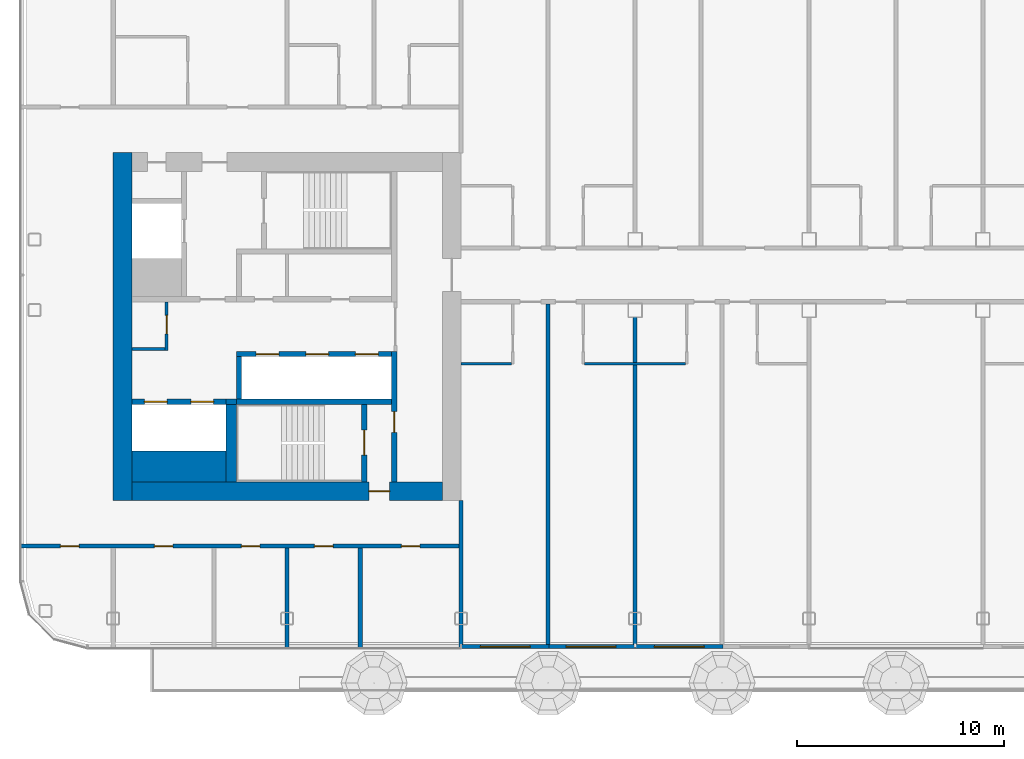
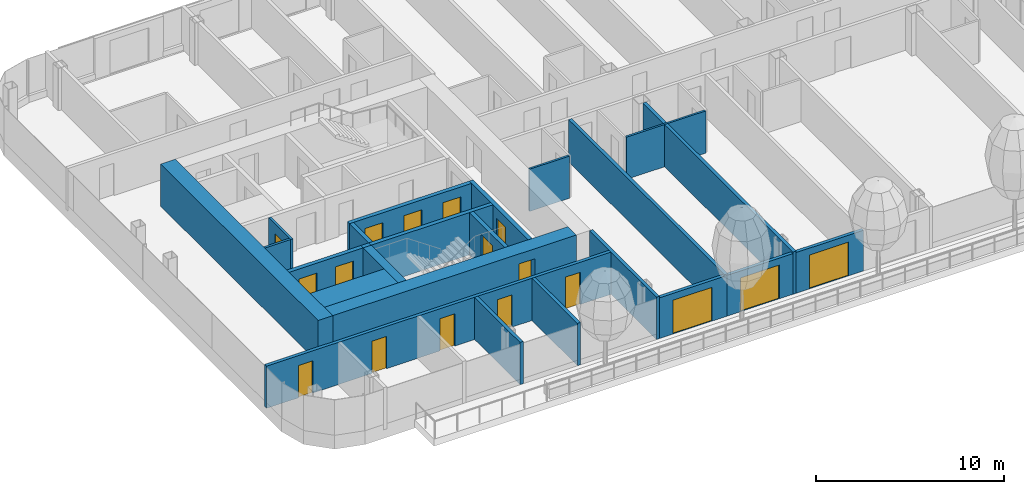
# One storey, part 11 of 29: 24 walls, 17 doors, 17 openings, 1 element without a shape of its own.
"""IFC4 building model written with IfcOpenShell, lengths in metres."""

from ifc_helpers import new_model, si_unit, direction, frame, frame_2d, origin, place, context, subcontext, project, spatial, rectangle, extrude, material, layer, layer_set, type_object, element, fill, aggregate, save


model = new_model("IFC4")

# Units and contexts
model_context = context("Model", 3, precision=1e-05, world=origin(), true_north=direction((0.0, 1.0)))
body_context = subcontext(model_context, "Body", "Model", "MODEL_VIEW")
ifc_project = project(units=[si_unit("LENGTHUNIT", "METRE"), si_unit("AREAUNIT", "SQUARE_METRE"), si_unit("VOLUMEUNIT", "CUBIC_METRE"), si_unit("PLANEANGLEUNIT", "RADIAN"), si_unit("MASSUNIT", "GRAM", prefix="KILO")], contexts=[model_context])

# Site, building, storey
site_placement = place(None, origin())
site = spatial("IfcSite", under=ifc_project, at=site_placement, CompositionType="ELEMENT")
building_placement = place(site_placement, origin())
building = spatial("IfcBuilding", under=site, at=building_placement, Name="Hakoniwa Tower and Hamabe Station Hall", CompositionType="ELEMENT")
storey_placement = place(building_placement, frame((0.0, 0.0, 205.800048828125)))
storey = spatial("IfcBuildingStorey", under=building, at=storey_placement, Name="L58", CompositionType="ELEMENT", Elevation=205.800048828125)

# Walls
ifc_material_1 = material(Name="Gypsum board partition", Category="gypsum")
ifc_layer_1 = layer(ifc_material_1, 0.125)
ifc_layer_set_1 = layer_set([ifc_layer_1], Name="Bathroom Partition 125")
wall_type_1 = type_object("IfcWallType", Name="Bathroom Partition 125", PredefinedType="PARTITIONING", material=ifc_layer_set_1)
wall_1_placement = place(storey_placement, frame((-16.81005859375, -1.800048828125, 0.0), z_axis=(0.0, 0.0, 1.0), x_axis=(1.0, 0.0, 0.0)))
element("IfcWall", 1, at=wall_1_placement, inside=storey, type_object=wall_type_1, Name="GW-L58-003", PredefinedType="PARTITIONING", context=body_context, shape_type="SweptSolid", body=[
    extrude(rectangle(XDim=2.447509765625, YDim=0.125, at=frame_2d((1.2236328125, 0.0))), origin(), (0.0, 0.0, 1.0), 2.75),
])
wall_2_placement = place(storey_placement, frame((-10.83740234375, -1.800048828125, 0.0), z_axis=(0.0, 0.0, 1.0), x_axis=(1.0, 0.0, 0.0)))
element("IfcWall", 2, at=wall_2_placement, inside=storey, type_object=wall_type_1, Name="GW-L58-004", PredefinedType="PARTITIONING", context=body_context, shape_type="SweptSolid", body=[
    extrude(rectangle(XDim=4.875, YDim=0.125, at=frame_2d((2.4375, 0.0))), origin(), (0.0, 0.0, 1.0), 2.75),
])

# Wall, opening, door
ifc_material_2 = material(Name="Gypsum board partition")
ifc_layer_2 = layer(ifc_material_2, 0.14990234375)
ifc_layer_set_2 = layer_set([ifc_layer_2], Name="CORE PARTITION 150 EI 60")
wall_type_2 = type_object("IfcWallType", Name="CORE PARTITION 150 EI 60", PredefinedType="PARTITIONING", material=ifc_layer_set_2)
wall_3_placement = place(storey_placement, frame((-31.02490234375, -1.14990234375, 0.0), z_axis=(0.0, 0.0, 1.0), x_axis=(0.0, 1.0, 0.0)))
wall_3 = element("IfcWall", 3, at=wall_3_placement, inside=storey, type_object=wall_type_2, Name="Core partition PW0 west", PredefinedType="PARTITIONING", context=body_context, shape_type="SweptSolid", body=[
    extrude(rectangle(XDim=2.349853515625, YDim=0.14990234375, at=frame_2d((1.1748046875, 0.0))), origin(), (0.0, 0.0, 1.0), 2.75),
])
opening_1_placement = place(wall_3_placement, frame((0.800048828125, 0.0, 0.0)))
opening_1 = element("IfcOpeningElement", 4, at=opening_1_placement, cuts=wall_3, Name="Opening CD-W-RM1-9", PredefinedType="OPENING", context=body_context, shape_type="SweptSolid", body=[
    extrude(rectangle(XDim=0.89990234375, YDim=2.10009765625, at=frame_2d((0.449951171875, 1.050048828125))), frame((0.0, 0.0849609375, 0.0), z_axis=(0.0, -1.0, 0.0), x_axis=(1.0, 0.0, 0.0)), (0.0, 0.0, 1.0), 0.169921875),
])
ifc_material_3 = material(Name="Steel fire door", Category="steel")
door_type_1 = type_object("IfcDoorType", Name="CORE DOOR 900 FD30", OperationType="NOTDEFINED", PredefinedType="DOOR", material=ifc_material_3)
door_1_placement = place(opening_1_placement, origin())
door_1 = element("IfcDoor", 5, at=door_1_placement, inside=storey, type_object=door_type_1, Name="Store room door", OperationType="SINGLE_SWING_LEFT", OverallHeight=2.10009765625, OverallWidth=0.89990234375, PredefinedType="DOOR", context=body_context, shape_type="SweptSolid", body=[
    extrude(rectangle(XDim=0.89990234375, YDim=2.10009765625, at=frame_2d((0.449951171875, 1.050048828125))), frame((0.0, 0.02490234375, 0.0), z_axis=(0.0, -1.0, 0.0), x_axis=(1.0, 0.0, 0.0)), (0.0, 0.0, 1.0), 0.050048828125),
])
fill(opening_1, door_1)

# Walls
wall_4_placement = place(storey_placement, frame((-32.699951171875, -1.074951171875, 0.0), z_axis=(0.0, 0.0, 1.0), x_axis=(1.0, 0.0, 0.0)))
element("IfcWall", 6, at=wall_4_placement, inside=storey, type_object=wall_type_2, Name="Core partition PS west", PredefinedType="PARTITIONING", context=body_context, shape_type="SweptSolid", body=[
    extrude(rectangle(XDim=1.599853515625, YDim=0.14990234375, at=frame_2d((0.7998046875, 0.0))), origin(), (0.0, 0.0, 1.0), 2.75),
])
ifc_material_4 = material(Name="Concrete C60", Category="concrete")
ifc_layer_3 = layer(ifc_material_4, 0.89990234375)
ifc_layer_set_3 = layer_set([ifc_layer_3], Name="CORE WALL 900 C60")
wall_type_3 = type_object("IfcWallType", Name="CORE WALL 900 C60", PredefinedType="SHEAR", material=ifc_layer_set_3)
wall_5_placement = place(storey_placement, frame((-33.14990234375, -8.39990234375, 0.0), z_axis=(0.0, 0.0, 1.0), x_axis=(0.0, 1.0, 0.0)))
element("IfcWall", 7, at=wall_5_placement, inside=storey, type_object=wall_type_3, Name="Core wall OUTER west", PredefinedType="SHEAR", context=body_context, shape_type="SweptSolid", body=[
    extrude(rectangle(XDim=16.7998046875, YDim=0.89990234375, at=frame_2d((8.39990234375, 0.0))), origin(), (0.0, 0.0, 1.0), 2.75),
])

# Wall, opening, door
wall_6_placement = place(storey_placement, frame((-32.699951171875, -7.949951171875, 0.0), z_axis=(0.0, 0.0, 1.0), x_axis=(1.0, 0.0, 0.0)))
wall_6 = element("IfcWall", 8, at=wall_6_placement, inside=storey, type_object=wall_type_3, Name="Core wall SOUTH west", PredefinedType="SHEAR", context=body_context, shape_type="SweptSolid", body=[
    extrude(rectangle(XDim=15.0, YDim=0.89990234375, at=frame_2d((7.5, 0.0))), origin(), (0.0, 0.0, 1.0), 2.75),
])
opening_2_placement = place(wall_6_placement, frame((11.449951171875, 0.0, 0.0)))
opening_2 = element("IfcOpeningElement", 9, at=opening_2_placement, cuts=wall_6, Name="Opening CD-W-FS3-10", PredefinedType="OPENING", context=body_context, shape_type="SweptSolid", body=[
    extrude(rectangle(XDim=1.0, YDim=2.10009765625, at=frame_2d((0.5, 1.050048828125))), frame((0.0, 0.4599609375, 0.0), z_axis=(0.0, -1.0, 0.0), x_axis=(1.0, 0.0, 0.0)), (0.0, 0.0, 1.0), 0.919921875),
])
ifc_material_5 = material(Name="Steel fire door", Category="steel")
door_type_2 = type_object("IfcDoorType", Name="CORE DOOR 1000 FD60", OperationType="NOTDEFINED", PredefinedType="DOOR", material=ifc_material_5)
door_2_placement = place(opening_2_placement, origin())
door_2 = element("IfcDoor", 10, at=door_2_placement, inside=storey, type_object=door_type_2, Name="Stair vestibule door", OperationType="SINGLE_SWING_RIGHT", OverallHeight=2.10009765625, OverallWidth=1.0, PredefinedType="DOOR", context=body_context, shape_type="SweptSolid", body=[
    extrude(rectangle(XDim=1.0, YDim=2.10009765625, at=frame_2d((0.5, 1.050048828125))), frame((0.0, 0.02490234375, 0.0), z_axis=(0.0, -1.0, 0.0), x_axis=(1.0, 0.0, 0.0)), (0.0, 0.0, 1.0), 0.050048828125),
])
fill(opening_2, door_2)

# Wall
ifc_material_6 = material(Name="Concrete C60", Category="concrete")
ifc_layer_4 = layer(ifc_material_6, 1.5)
ifc_layer_set_4 = layer_set([ifc_layer_4], Name="CORE WEB WALL 1500 C60")
wall_type_4 = type_object("IfcWallType", Name="CORE WEB WALL 1500 C60", PredefinedType="SHEAR", material=ifc_layer_set_4)
wall_7_placement = place(storey_placement, frame((-32.699951171875, -6.75, 0.0), z_axis=(0.0, 0.0, 1.0), x_axis=(1.0, 0.0, 0.0)))
element("IfcWall", 11, at=wall_7_placement, inside=storey, type_object=wall_type_4, Name="Core wall SER west", PredefinedType="SHEAR", context=body_context, shape_type="SweptSolid", body=[
    extrude(rectangle(XDim=4.550048828125, YDim=1.5, at=frame_2d((2.27490234375, 0.0))), origin(), (0.0, 0.0, 1.0), 2.75),
])

# Wall, opening, door
ifc_material_7 = material(Name="Concrete C60", Category="concrete")
ifc_layer_5 = layer(ifc_material_7, 0.25)
ifc_layer_set_5 = layer_set([ifc_layer_5], Name="CORE WEB WALL 250 C60")
wall_type_5 = type_object("IfcWallType", Name="CORE WEB WALL 250 C60", PredefinedType="SHEAR", material=ifc_layer_set_5)
wall_8_placement = place(storey_placement, frame((-20.02490234375, -7.5, 0.0), z_axis=(0.0, 0.0, 1.0), x_axis=(0.0, 1.0, 0.0)))
wall_8 = element("IfcWall", 12, at=wall_8_placement, inside=storey, type_object=wall_type_5, Name="Core wall W1S west", PredefinedType="SHEAR", context=body_context, shape_type="SweptSolid", body=[
    extrude(rectangle(XDim=6.300048828125, YDim=0.25, at=frame_2d((3.14990234375, 0.0))), origin(), (0.0, 0.0, 1.0), 2.75),
])
opening_3_placement = place(wall_8_placement, frame((2.39990234375, 0.0, 0.0)))
opening_3 = element("IfcOpeningElement", 13, at=opening_3_placement, cuts=wall_8, Name="Opening CD-W-VS-10", PredefinedType="OPENING", context=body_context, shape_type="SweptSolid", body=[
    extrude(rectangle(XDim=1.0, YDim=2.10009765625, at=frame_2d((0.5, 1.050048828125))), frame((0.0, 0.135009765625, 0.0), z_axis=(0.0, -1.0, 0.0), x_axis=(1.0, 0.0, 0.0)), (0.0, 0.0, 1.0), 0.27001953125),
])
door_3_placement = place(opening_3_placement, origin())
door_3 = element("IfcDoor", 14, at=door_3_placement, inside=storey, type_object=door_type_2, Name="Stair vestibule door", OperationType="SINGLE_SWING_LEFT", OverallHeight=2.10009765625, OverallWidth=1.0, PredefinedType="DOOR", context=body_context, shape_type="SweptSolid", body=[
    extrude(rectangle(XDim=1.0, YDim=2.10009765625, at=frame_2d((0.5, 1.050048828125))), frame((0.0, 0.02490234375, 0.0), z_axis=(0.0, -1.0, 0.0), x_axis=(1.0, 0.0, 0.0)), (0.0, 0.0, 1.0), 0.050048828125),
])
fill(opening_3, door_3)

# Wall, openings, doors
wall_9_placement = place(storey_placement, frame((-27.64990234375, -1.324951171875, 0.0), z_axis=(0.0, 0.0, 1.0), x_axis=(1.0, 0.0, 0.0)))
wall_9 = element("IfcWall", 15, at=wall_9_placement, inside=storey, type_object=wall_type_5, Name="Core wall SF west", PredefinedType="SHEAR", context=body_context, shape_type="SweptSolid", body=[
    extrude(rectangle(XDim=7.5, YDim=0.25, at=frame_2d((3.75, 0.0))), origin(), (0.0, 0.0, 1.0), 2.75),
])
opening_4_placement = place(wall_9_placement, frame((5.75, 0.0, 0.0)))
opening_4 = element("IfcOpeningElement", 16, at=opening_4_placement, cuts=wall_9, Name="Opening LD-HR1", PredefinedType="OPENING", context=body_context, shape_type="SweptSolid", body=[
    extrude(rectangle(XDim=1.10009765625, YDim=2.10009765625, at=frame_2d((0.550048828125, 1.050048828125))), frame((0.0, 0.135009765625, 0.0), z_axis=(0.0, -1.0, 0.0), x_axis=(1.0, 0.0, 0.0)), (0.0, 0.0, 1.0), 0.27001953125),
])
opening_5_placement = place(wall_9_placement, frame((3.35009765625, 0.0, 0.0)))
opening_5 = element("IfcOpeningElement", 17, at=opening_5_placement, cuts=wall_9, Name="Opening LD-HR2", PredefinedType="OPENING", context=body_context, shape_type="SweptSolid", body=[
    extrude(rectangle(XDim=1.10009765625, YDim=2.10009765625, at=frame_2d((0.550048828125, 1.050048828125))), frame((0.0, 0.135009765625, 0.0), z_axis=(0.0, -1.0, 0.0), x_axis=(1.0, 0.0, 0.0)), (0.0, 0.0, 1.0), 0.27001953125),
])
opening_6_placement = place(wall_9_placement, frame((0.949951171875, 0.0, 0.0)))
opening_6 = element("IfcOpeningElement", 18, at=opening_6_placement, cuts=wall_9, Name="Opening LD-HR3", PredefinedType="OPENING", context=body_context, shape_type="SweptSolid", body=[
    extrude(rectangle(XDim=1.10009765625, YDim=2.10009765625, at=frame_2d((0.550048828125, 1.050048828125))), frame((0.0, 0.135009765625, 0.0), z_axis=(0.0, -1.0, 0.0), x_axis=(1.0, 0.0, 0.0)), (0.0, 0.0, 1.0), 0.27001953125),
])
ifc_material_8 = material(Name="Stainless steel SUS304", Category="steel")
door_type_3 = type_object("IfcDoorType", Name="LIFT LANDING DOOR 1100 FD60", OperationType="DOUBLE_DOOR_SLIDING", PredefinedType="DOOR", material=ifc_material_8)
door_4_placement = place(opening_4_placement, origin())
door_4 = element("IfcDoor", 19, at=door_4_placement, inside=storey, type_object=door_type_3, Name="Lift landing door HR1 L58", OperationType="DOUBLE_DOOR_SLIDING", OverallHeight=2.10009765625, OverallWidth=1.10009765625, PredefinedType="DOOR", context=body_context, shape_type="SweptSolid", body=[
    extrude(rectangle(XDim=1.10009765625, YDim=2.10009765625, at=frame_2d((0.550048828125, 1.050048828125))), frame((0.0, 0.02490234375, 0.0), z_axis=(0.0, -1.0, 0.0), x_axis=(1.0, 0.0, 0.0)), (0.0, 0.0, 1.0), 0.050048828125),
])
fill(opening_4, door_4)
door_5_placement = place(opening_5_placement, origin())
door_5 = element("IfcDoor", 20, at=door_5_placement, inside=storey, type_object=door_type_3, Name="Lift landing door HR2 L58", OperationType="DOUBLE_DOOR_SLIDING", OverallHeight=2.10009765625, OverallWidth=1.10009765625, PredefinedType="DOOR", context=body_context, shape_type="SweptSolid", body=[
    extrude(rectangle(XDim=1.10009765625, YDim=2.10009765625, at=frame_2d((0.550048828125, 1.050048828125))), frame((0.0, 0.02490234375, 0.0), z_axis=(0.0, -1.0, 0.0), x_axis=(1.0, 0.0, 0.0)), (0.0, 0.0, 1.0), 0.050048828125),
])
fill(opening_5, door_5)
door_6_placement = place(opening_6_placement, origin())
door_6 = element("IfcDoor", 21, at=door_6_placement, inside=storey, type_object=door_type_3, Name="Lift landing door HR3 L58", OperationType="DOUBLE_DOOR_SLIDING", OverallHeight=2.10009765625, OverallWidth=1.10009765625, PredefinedType="DOOR", context=body_context, shape_type="SweptSolid", body=[
    extrude(rectangle(XDim=1.10009765625, YDim=2.10009765625, at=frame_2d((0.550048828125, 1.050048828125))), frame((0.0, 0.02490234375, 0.0), z_axis=(0.0, -1.0, 0.0), x_axis=(1.0, 0.0, 0.0)), (0.0, 0.0, 1.0), 0.050048828125),
])
fill(opening_6, door_6)

# Walls
wall_10_placement = place(storey_placement, frame((-27.52490234375, -3.5, 0.0), z_axis=(0.0, 0.0, 1.0), x_axis=(0.0, 1.0, 0.0)))
element("IfcWall", 22, at=wall_10_placement, inside=storey, type_object=wall_type_5, Name="Core wall SE west", PredefinedType="SHEAR", context=body_context, shape_type="SweptSolid", body=[
    extrude(rectangle(XDim=2.050048828125, YDim=0.25, at=frame_2d((1.02490234375, 0.0))), origin(), (0.0, 0.0, 1.0), 2.75),
])
wall_11_placement = place(storey_placement, frame((-27.64990234375, -3.625, 0.0), z_axis=(0.0, 0.0, 1.0), x_axis=(1.0, 0.0, 0.0)))
element("IfcWall", 23, at=wall_11_placement, inside=storey, type_object=wall_type_5, Name="Core wall SR west", PredefinedType="SHEAR", context=body_context, shape_type="SweptSolid", body=[
    extrude(rectangle(XDim=7.5, YDim=0.25, at=frame_2d((3.75, 0.0))), origin(), (0.0, 0.0, 1.0), 2.75),
])

# Wall, opening, door
wall_12_placement = place(storey_placement, frame((-21.47509765625, -7.5, 0.0), z_axis=(0.0, 0.0, 1.0), x_axis=(0.0, 1.0, 0.0)))
wall_12 = element("IfcWall", 24, at=wall_12_placement, inside=storey, type_object=wall_type_5, Name="Core wall VE west", PredefinedType="SHEAR", context=body_context, shape_type="SweptSolid", body=[
    extrude(rectangle(XDim=3.75, YDim=0.25, at=frame_2d((1.875, 0.0))), origin(), (0.0, 0.0, 1.0), 2.75),
])
opening_7_placement = place(wall_12_placement, frame((1.300048828125, 0.0, 0.0)))
opening_7 = element("IfcOpeningElement", 25, at=opening_7_placement, cuts=wall_12, Name="Opening CD-W-SS-12", PredefinedType="OPENING", context=body_context, shape_type="SweptSolid", body=[
    extrude(rectangle(XDim=1.199951171875, YDim=2.10009765625, at=frame_2d((0.60009765625, 1.050048828125))), frame((0.0, 0.135009765625, 0.0), z_axis=(0.0, -1.0, 0.0), x_axis=(1.0, 0.0, 0.0)), (0.0, 0.0, 1.0), 0.27001953125),
])
ifc_material_9 = material(Name="Steel fire door", Category="steel")
door_type_4 = type_object("IfcDoorType", Name="CORE DOOR 1200 FD60", OperationType="DOUBLE_DOOR_SINGLE_SWING", PredefinedType="DOOR", material=ifc_material_9)
door_7_placement = place(opening_7_placement, origin())
door_7 = element("IfcDoor", 26, at=door_7_placement, inside=storey, type_object=door_type_4, Name="Escape stair door", OperationType="DOUBLE_DOOR_SINGLE_SWING", OverallHeight=2.10009765625, OverallWidth=1.199951171875, PredefinedType="DOOR", context=body_context, shape_type="SweptSolid", body=[
    extrude(rectangle(XDim=1.199951171875, YDim=2.10009765625, at=frame_2d((0.60009765625, 1.050048828125))), frame((0.0, 0.02490234375, 0.0), z_axis=(0.0, -1.0, 0.0), x_axis=(1.0, 0.0, 0.0)), (0.0, 0.0, 1.0), 0.050048828125),
])
fill(opening_7, door_7)

# Wall, openings, doors
wall_13_placement = place(storey_placement, frame((-32.699951171875, -3.625, 0.0), z_axis=(0.0, 0.0, 1.0), x_axis=(1.0, 0.0, 0.0)))
wall_13 = element("IfcWall", 27, at=wall_13_placement, inside=storey, type_object=wall_type_5, Name="Core wall SEF west", PredefinedType="SHEAR", context=body_context, shape_type="SweptSolid", body=[
    extrude(rectangle(XDim=4.550048828125, YDim=0.25, at=frame_2d((2.27490234375, 0.0))), origin(), (0.0, 0.0, 1.0), 2.75),
])
opening_8_placement = place(wall_13_placement, frame((2.85009765625, 0.0, 0.0)))
opening_8 = element("IfcOpeningElement", 28, at=opening_8_placement, cuts=wall_13, Name="Opening LD-SV1", PredefinedType="OPENING", context=body_context, shape_type="SweptSolid", body=[
    extrude(rectangle(XDim=1.10009765625, YDim=2.10009765625, at=frame_2d((0.550048828125, 1.050048828125))), frame((0.0, 0.135009765625, 0.0), z_axis=(0.0, -1.0, 0.0), x_axis=(1.0, 0.0, 0.0)), (0.0, 0.0, 1.0), 0.27001953125),
])
opening_9_placement = place(wall_13_placement, frame((0.60009765625, 0.0, 0.0)))
opening_9 = element("IfcOpeningElement", 29, at=opening_9_placement, cuts=wall_13, Name="Opening LD-SV2", PredefinedType="OPENING", context=body_context, shape_type="SweptSolid", body=[
    extrude(rectangle(XDim=1.10009765625, YDim=2.10009765625, at=frame_2d((0.550048828125, 1.050048828125))), frame((0.0, 0.135009765625, 0.0), z_axis=(0.0, -1.0, 0.0), x_axis=(1.0, 0.0, 0.0)), (0.0, 0.0, 1.0), 0.27001953125),
])
door_8_placement = place(opening_8_placement, origin())
door_8 = element("IfcDoor", 30, at=door_8_placement, inside=storey, type_object=door_type_3, Name="Lift landing door SV1 L58", OperationType="DOUBLE_DOOR_SLIDING", OverallHeight=2.10009765625, OverallWidth=1.10009765625, PredefinedType="DOOR", context=body_context, shape_type="SweptSolid", body=[
    extrude(rectangle(XDim=1.10009765625, YDim=2.10009765625, at=frame_2d((0.550048828125, 1.050048828125))), frame((0.0, 0.02490234375, 0.0), z_axis=(0.0, -1.0, 0.0), x_axis=(1.0, 0.0, 0.0)), (0.0, 0.0, 1.0), 0.050048828125),
])
fill(opening_8, door_8)
door_9_placement = place(opening_9_placement, origin())
door_9 = element("IfcDoor", 31, at=door_9_placement, inside=storey, type_object=door_type_3, Name="Lift landing door SV2 L58", OperationType="DOUBLE_DOOR_SLIDING", OverallHeight=2.10009765625, OverallWidth=1.10009765625, PredefinedType="DOOR", context=body_context, shape_type="SweptSolid", body=[
    extrude(rectangle(XDim=1.10009765625, YDim=2.10009765625, at=frame_2d((0.550048828125, 1.050048828125))), frame((0.0, 0.02490234375, 0.0), z_axis=(0.0, -1.0, 0.0), x_axis=(1.0, 0.0, 0.0)), (0.0, 0.0, 1.0), 0.050048828125),
])
fill(opening_9, door_9)

# Walls
wall_14_placement = place(storey_placement, frame((-28.14990234375, -3.625, 0.0), z_axis=(0.0, 0.0, 1.0), x_axis=(1.0, 0.0, 0.0)))
element("IfcWall", 32, at=wall_14_placement, inside=storey, type_object=wall_type_5, Name="Core wall SRK west", PredefinedType="SHEAR", context=body_context, shape_type="SweptSolid", body=[
    extrude(rectangle(XDim=0.5, YDim=0.25, at=frame_2d((0.25, 0.0))), origin(), (0.0, 0.0, 1.0), 2.75),
])
ifc_material_10 = material(Name="Concrete C60", Category="concrete")
ifc_layer_6 = layer(ifc_material_10, 0.5)
ifc_layer_set_6 = layer_set([ifc_layer_6], Name="CORE WEB WALL 500 C60")
wall_type_6 = type_object("IfcWallType", Name="CORE WEB WALL 500 C60", PredefinedType="SHEAR", material=ifc_layer_set_6)
wall_15_placement = place(storey_placement, frame((-27.89990234375, -7.5, 0.0), z_axis=(0.0, 0.0, 1.0), x_axis=(0.0, 1.0, 0.0)))
element("IfcWall", 33, at=wall_15_placement, inside=storey, type_object=wall_type_6, Name="Core wall SSE west", PredefinedType="SHEAR", context=body_context, shape_type="SweptSolid", body=[
    extrude(rectangle(XDim=3.75, YDim=0.5, at=frame_2d((1.875, 0.0))), origin(), (0.0, 0.0, 1.0), 2.75),
])

# Wall, openings, doors
ifc_material_11 = material(Name="Fire-rated gypsum board partition", Category="gypsum")
ifc_layer_7 = layer(ifc_material_11, 0.199951171875)
ifc_layer_set_7 = layer_set([ifc_layer_7], Name="Corridor Wall 200")
wall_type_7 = type_object("IfcWallType", Name="Corridor Wall 200", PredefinedType="PARTITIONING", material=ifc_layer_set_7)
wall_16_placement = place(storey_placement, frame((-38.10009765625, -10.60009765625, 0.0), z_axis=(0.0, 0.0, 1.0), x_axis=(1.0, 0.0, 0.0)))
wall_16 = element("IfcWall", 34, at=wall_16_placement, inside=storey, type_object=wall_type_7, Name="GW-L58-001", PredefinedType="PARTITIONING", context=body_context, shape_type="SweptSolid", body=[
    extrude(rectangle(XDim=21.300048828125, YDim=0.199951171875, at=frame_2d((10.64990234375, 0.0))), origin(), (0.0, 0.0, 1.0), 2.75),
])
opening_10_placement = place(wall_16_placement, frame((1.949951171875, 0.0, 0.0)))
opening_10 = element("IfcOpeningElement", 35, at=opening_10_placement, cuts=wall_16, Name="Opening GD-G4B1-01", PredefinedType="OPENING", context=body_context, shape_type="SweptSolid", body=[
    extrude(rectangle(XDim=0.89990234375, YDim=2.10009765625, at=frame_2d((0.449951171875, 1.050048828125))), frame((0.0, 0.10986328125, 0.0), z_axis=(0.0, -1.0, 0.0), x_axis=(1.0, 0.0, 0.0)), (0.0, 0.0, 1.0), 0.219970703125),
])
opening_11_placement = place(wall_16_placement, frame((6.485107421875, 0.0, 0.0)))
opening_11 = element("IfcOpeningElement", 36, at=opening_11_placement, cuts=wall_16, Name="Opening GD-G4B1-02", PredefinedType="OPENING", context=body_context, shape_type="SweptSolid", body=[
    extrude(rectangle(XDim=0.89990234375, YDim=2.10009765625, at=frame_2d((0.449951171875, 1.050048828125))), frame((0.0, 0.10986328125, 0.0), z_axis=(0.0, -1.0, 0.0), x_axis=(1.0, 0.0, 0.0)), (0.0, 0.0, 1.0), 0.219970703125),
])
opening_12_placement = place(wall_16_placement, frame((10.68505859375, 0.0, 0.0)))
opening_12 = element("IfcOpeningElement", 37, at=opening_12_placement, cuts=wall_16, Name="Opening GD-G4B1-03", PredefinedType="OPENING", context=body_context, shape_type="SweptSolid", body=[
    extrude(rectangle(XDim=0.89990234375, YDim=2.10009765625, at=frame_2d((0.449951171875, 1.050048828125))), frame((0.0, 0.10986328125, 0.0), z_axis=(0.0, -1.0, 0.0), x_axis=(1.0, 0.0, 0.0)), (0.0, 0.0, 1.0), 0.219970703125),
])
opening_13_placement = place(wall_16_placement, frame((14.215087890625, 0.0, 0.0)))
opening_13 = element("IfcOpeningElement", 38, at=opening_13_placement, cuts=wall_16, Name="Opening GD-G4B1-04", PredefinedType="OPENING", context=body_context, shape_type="SweptSolid", body=[
    extrude(rectangle(XDim=0.89990234375, YDim=2.10009765625, at=frame_2d((0.449951171875, 1.050048828125))), frame((0.0, 0.10986328125, 0.0), z_axis=(0.0, -1.0, 0.0), x_axis=(1.0, 0.0, 0.0)), (0.0, 0.0, 1.0), 0.219970703125),
])
opening_14_placement = place(wall_16_placement, frame((18.4150390625, 0.0, 0.0)))
opening_14 = element("IfcOpeningElement", 39, at=opening_14_placement, cuts=wall_16, Name="Opening GD-G4B1-05", PredefinedType="OPENING", context=body_context, shape_type="SweptSolid", body=[
    extrude(rectangle(XDim=0.89990234375, YDim=2.10009765625, at=frame_2d((0.449951171875, 1.050048828125))), frame((0.0, 0.10986328125, 0.0), z_axis=(0.0, -1.0, 0.0), x_axis=(1.0, 0.0, 0.0)), (0.0, 0.0, 1.0), 0.219970703125),
])
ifc_material_12 = material(Name="Timber door leaf", Category="wood")
door_type_5 = type_object("IfcDoorType", Name="Service Door 900", OperationType="SINGLE_SWING_LEFT", PredefinedType="DOOR", material=ifc_material_12)
door_10_placement = place(opening_10_placement, origin())
door_10 = element("IfcDoor", 40, at=door_10_placement, inside=storey, type_object=door_type_5, Name="Door GD-G4B1-01", OperationType="SINGLE_SWING_RIGHT", OverallHeight=2.10009765625, OverallWidth=0.89990234375, PredefinedType="DOOR", context=body_context, shape_type="SweptSolid", body=[
    extrude(rectangle(XDim=0.89990234375, YDim=2.10009765625, at=frame_2d((0.449951171875, 1.050048828125))), frame((0.0, 0.02490234375, 0.0), z_axis=(0.0, -1.0, 0.0), x_axis=(1.0, 0.0, 0.0)), (0.0, 0.0, 1.0), 0.050048828125),
])
fill(opening_10, door_10)
door_11_placement = place(opening_11_placement, origin())
door_11 = element("IfcDoor", 41, at=door_11_placement, inside=storey, type_object=door_type_5, Name="Door GD-G4B1-02", OperationType="SINGLE_SWING_LEFT", OverallHeight=2.10009765625, OverallWidth=0.89990234375, PredefinedType="DOOR", context=body_context, shape_type="SweptSolid", body=[
    extrude(rectangle(XDim=0.89990234375, YDim=2.10009765625, at=frame_2d((0.449951171875, 1.050048828125))), frame((0.0, 0.02490234375, 0.0), z_axis=(0.0, -1.0, 0.0), x_axis=(1.0, 0.0, 0.0)), (0.0, 0.0, 1.0), 0.050048828125),
])
fill(opening_11, door_11)
door_12_placement = place(opening_12_placement, origin())
door_12 = element("IfcDoor", 42, at=door_12_placement, inside=storey, type_object=door_type_5, Name="Door GD-G4B1-03", OperationType="SINGLE_SWING_RIGHT", OverallHeight=2.10009765625, OverallWidth=0.89990234375, PredefinedType="DOOR", context=body_context, shape_type="SweptSolid", body=[
    extrude(rectangle(XDim=0.89990234375, YDim=2.10009765625, at=frame_2d((0.449951171875, 1.050048828125))), frame((0.0, 0.02490234375, 0.0), z_axis=(0.0, -1.0, 0.0), x_axis=(1.0, 0.0, 0.0)), (0.0, 0.0, 1.0), 0.050048828125),
])
fill(opening_12, door_12)
door_13_placement = place(opening_13_placement, origin())
door_13 = element("IfcDoor", 43, at=door_13_placement, inside=storey, type_object=door_type_5, Name="Door GD-G4B1-04", OperationType="SINGLE_SWING_LEFT", OverallHeight=2.10009765625, OverallWidth=0.89990234375, PredefinedType="DOOR", context=body_context, shape_type="SweptSolid", body=[
    extrude(rectangle(XDim=0.89990234375, YDim=2.10009765625, at=frame_2d((0.449951171875, 1.050048828125))), frame((0.0, 0.02490234375, 0.0), z_axis=(0.0, -1.0, 0.0), x_axis=(1.0, 0.0, 0.0)), (0.0, 0.0, 1.0), 0.050048828125),
])
fill(opening_13, door_13)
door_14_placement = place(opening_14_placement, origin())
door_14 = element("IfcDoor", 44, at=door_14_placement, inside=storey, type_object=door_type_5, Name="Door GD-G4B1-05", OperationType="SINGLE_SWING_RIGHT", OverallHeight=2.10009765625, OverallWidth=0.89990234375, PredefinedType="DOOR", context=body_context, shape_type="SweptSolid", body=[
    extrude(rectangle(XDim=0.89990234375, YDim=2.10009765625, at=frame_2d((0.449951171875, 1.050048828125))), frame((0.0, 0.02490234375, 0.0), z_axis=(0.0, -1.0, 0.0), x_axis=(1.0, 0.0, 0.0)), (0.0, 0.0, 1.0), 0.050048828125),
])
fill(opening_14, door_14)

# Curtain wall, walls, openings, doors
ifc_material_13 = material(Name="Dark low-e laminated glass", Category="glass")
ifc_layer_8 = layer(ifc_material_13, 0.199951171875)
ifc_layer_set_8 = layer_set([ifc_layer_8], Name="CW-1 UNITISED GUEST")
curtain_wall_type = type_object("IfcCurtainWallType", Name="CW-1 UNITISED GUEST", PredefinedType="NOTDEFINED", material=ifc_layer_set_8)
curtain_wall_placement = place(storey_placement, origin())
curtain_wall = element("IfcCurtainWall", 45, at=curtain_wall_placement, inside=storey, type_object=curtain_wall_type, Name="CW-1 curtain wall", PredefinedType="NOTDEFINED")
ifc_material_14 = material(Name="Dark glass-faced aluminium panel", Category="aluminium")
ifc_layer_9 = layer(ifc_material_14, 0.199951171875)
ifc_layer_set_9 = layer_set([ifc_layer_9], Name="DOOR BAY WALL")
wall_type_8 = type_object("IfcWallType", Name="DOOR BAY WALL", PredefinedType="NOTDEFINED", material=ifc_layer_set_9)
wall_17_placement = place(storey_placement, frame((-16.780029296875, -15.449951171875, 0.0), z_axis=(0.0, 0.0, 1.0), x_axis=(1.0, 0.0, 0.0)))
wall_17 = element("IfcWall", 46, at=wall_17_placement, type_object=wall_type_8, Name="Door bay wall", PredefinedType="NOTDEFINED", context=body_context, shape_type="SweptSolid", body=[
    extrude(rectangle(XDim=4.219970703125, YDim=0.199951171875, at=frame_2d((2.10986328125, 0.0))), origin(), (0.0, 0.0, 1.0), 2.64990234375),
])
opening_15_placement = place(wall_17_placement, frame((0.909912109375, 0.0, 0.0)))
opening_15 = element("IfcOpeningElement", 47, at=opening_15_placement, cuts=wall_17, Name="Opening BD-S07-7", PredefinedType="OPENING", context=body_context, shape_type="SweptSolid", body=[
    extrude(rectangle(XDim=2.39990234375, YDim=2.199951171875, at=frame_2d((1.199951171875, 1.10009765625))), frame((0.0, 0.10986328125, 0.0), z_axis=(0.0, -1.0, 0.0), x_axis=(1.0, 0.0, 0.0)), (0.0, 0.0, 1.0), 0.219970703125),
])
ifc_material_15 = material(Name="Dark low-e laminated glass", Category="glass")
door_type_6 = type_object("IfcDoorType", Name="BALCONY SLIDING DOOR 2400X2200", OperationType="SLIDING_TO_LEFT", PredefinedType="DOOR", material=ifc_material_15)
door_15_placement = place(opening_15_placement, frame((2.39990234375, 0.0, 0.0), z_axis=(0.0, 0.0, 1.0), x_axis=(-1.0, 0.0, 0.0)))
door_15 = element("IfcDoor", 48, at=door_15_placement, inside=storey, type_object=door_type_6, Name="Balcony sliding door", OperationType="SLIDING_TO_LEFT", OverallHeight=2.199951171875, OverallWidth=2.39990234375, PredefinedType="DOOR", context=body_context, shape_type="SweptSolid", body=[
    extrude(rectangle(XDim=2.39990234375, YDim=2.199951171875, at=frame_2d((1.199951171875, 1.10009765625))), frame((0.0, 0.02490234375, 0.0), z_axis=(0.0, -1.0, 0.0), x_axis=(1.0, 0.0, 0.0)), (0.0, 0.0, 1.0), 0.050048828125),
])
fill(opening_15, door_15)
wall_18_placement = place(storey_placement, frame((-12.639892578125, -15.449951171875, 0.0), z_axis=(0.0, 0.0, 1.0), x_axis=(1.0, 0.0, 0.0)))
wall_18 = element("IfcWall", 49, at=wall_18_placement, type_object=wall_type_8, Name="Door bay wall", PredefinedType="NOTDEFINED", context=body_context, shape_type="SweptSolid", body=[
    extrude(rectangle(XDim=4.219970703125, YDim=0.199951171875, at=frame_2d((2.10986328125, 0.0))), origin(), (0.0, 0.0, 1.0), 2.64990234375),
])
opening_16_placement = place(wall_18_placement, frame((0.909912109375, 0.0, 0.0)))
opening_16 = element("IfcOpeningElement", 50, at=opening_16_placement, cuts=wall_18, Name="Opening BD-S07-8", PredefinedType="OPENING", context=body_context, shape_type="SweptSolid", body=[
    extrude(rectangle(XDim=2.39990234375, YDim=2.199951171875, at=frame_2d((1.199951171875, 1.10009765625))), frame((0.0, 0.10986328125, 0.0), z_axis=(0.0, -1.0, 0.0), x_axis=(1.0, 0.0, 0.0)), (0.0, 0.0, 1.0), 0.219970703125),
])
door_16_placement = place(opening_16_placement, frame((2.39990234375, 0.0, 0.0), z_axis=(0.0, 0.0, 1.0), x_axis=(-1.0, 0.0, 0.0)))
door_16 = element("IfcDoor", 51, at=door_16_placement, inside=storey, type_object=door_type_6, Name="Balcony sliding door", OperationType="SLIDING_TO_LEFT", OverallHeight=2.199951171875, OverallWidth=2.39990234375, PredefinedType="DOOR", context=body_context, shape_type="SweptSolid", body=[
    extrude(rectangle(XDim=2.39990234375, YDim=2.199951171875, at=frame_2d((1.199951171875, 1.10009765625))), frame((0.0, 0.02490234375, 0.0), z_axis=(0.0, -1.0, 0.0), x_axis=(1.0, 0.0, 0.0)), (0.0, 0.0, 1.0), 0.050048828125),
])
fill(opening_16, door_16)
wall_19_placement = place(storey_placement, frame((-8.3798828125, -15.449951171875, 0.0), z_axis=(0.0, 0.0, 1.0), x_axis=(1.0, 0.0, 0.0)))
wall_19 = element("IfcWall", 52, at=wall_19_placement, type_object=wall_type_8, Name="Door bay wall", PredefinedType="NOTDEFINED", context=body_context, shape_type="SweptSolid", body=[
    extrude(rectangle(XDim=4.219970703125, YDim=0.199951171875, at=frame_2d((2.10986328125, 0.0))), origin(), (0.0, 0.0, 1.0), 2.64990234375),
])
opening_17_placement = place(wall_19_placement, frame((0.909912109375, 0.0, 0.0)))
opening_17 = element("IfcOpeningElement", 53, at=opening_17_placement, cuts=wall_19, Name="Opening BD-S07-9", PredefinedType="OPENING", context=body_context, shape_type="SweptSolid", body=[
    extrude(rectangle(XDim=2.39990234375, YDim=2.199951171875, at=frame_2d((1.199951171875, 1.10009765625))), frame((0.0, 0.10986328125, 0.0), z_axis=(0.0, -1.0, 0.0), x_axis=(1.0, 0.0, 0.0)), (0.0, 0.0, 1.0), 0.219970703125),
])
door_17_placement = place(opening_17_placement, frame((2.39990234375, 0.0, 0.0), z_axis=(0.0, 0.0, 1.0), x_axis=(-1.0, 0.0, 0.0)))
door_17 = element("IfcDoor", 54, at=door_17_placement, inside=storey, type_object=door_type_6, Name="Balcony sliding door", OperationType="SLIDING_TO_LEFT", OverallHeight=2.199951171875, OverallWidth=2.39990234375, PredefinedType="DOOR", context=body_context, shape_type="SweptSolid", body=[
    extrude(rectangle(XDim=2.39990234375, YDim=2.199951171875, at=frame_2d((1.199951171875, 1.10009765625))), frame((0.0, 0.02490234375, 0.0), z_axis=(0.0, -1.0, 0.0), x_axis=(1.0, 0.0, 0.0)), (0.0, 0.0, 1.0), 0.050048828125),
])
fill(opening_17, door_17)
aggregate(curtain_wall, [wall_17, wall_18, wall_19])

# Walls
ifc_material_16 = material(Name="Fire-rated gypsum board partition", Category="gypsum")
ifc_layer_10 = layer(ifc_material_16, 0.199951171875)
ifc_layer_set_10 = layer_set([ifc_layer_10], Name="Party Wall 200")
wall_type_9 = type_object("IfcWallType", Name="Party Wall 200", PredefinedType="PARTITIONING", material=ifc_layer_set_10)
for number, where, z_axis, x_axis, name in (
    (55, (-25.199951171875, -15.550048828125, 0.0), (0.0, 0.0, 1.0), (0.0, 1.0, 0.0), "GW-L58-024"),
    (56, (-21.669921875, -15.550048828125, 0.0), (0.0, 0.0, 1.0), (0.0, 1.0, 0.0), "GW-L58-027"),
):
    element("IfcWall", number, at=place(storey_placement, frame(where, z_axis=z_axis, x_axis=x_axis)), inside=storey, type_object=wall_type_9, Name=name, PredefinedType="PARTITIONING", context=body_context, shape_type="SweptSolid", body=[
        extrude(rectangle(XDim=4.85009765625, YDim=0.199951171875, at=frame_2d((2.425048828125, 0.0))), origin(), (0.0, 0.0, 1.0), 2.75),
    ])
wall_20_placement = place(storey_placement, frame((-16.800048828125, -15.550048828125, 0.0), z_axis=(0.0, 0.0, 1.0), x_axis=(0.0, 1.0, 0.0)))
element("IfcWall", 57, at=wall_20_placement, inside=storey, type_object=wall_type_9, Name="GW-L58-030", PredefinedType="PARTITIONING", context=body_context, shape_type="SweptSolid", body=[
    extrude(rectangle(XDim=7.16015625, YDim=0.199951171875, at=frame_2d((3.580078125, 0.0))), origin(), (0.0, 0.0, 1.0), 2.75),
])
wall_21_placement = place(storey_placement, frame((-12.60009765625, -15.550048828125, 0.0), z_axis=(0.0, 0.0, 1.0), x_axis=(0.0, 1.0, 0.0)))
element("IfcWall", 58, at=wall_21_placement, inside=storey, type_object=wall_type_9, Name="GW-L58-034", PredefinedType="PARTITIONING", context=body_context, shape_type="SweptSolid", body=[
    extrude(rectangle(XDim=16.650146484375, YDim=0.199951171875, at=frame_2d((8.3251953125, 0.0))), origin(), (0.0, 0.0, 1.0), 2.75),
])
wall_22_placement = place(storey_placement, frame((-8.39990234375, -15.550048828125, 0.0), z_axis=(0.0, 0.0, 1.0), x_axis=(0.0, 1.0, 0.0)))
element("IfcWall", 59, at=wall_22_placement, inside=storey, type_object=wall_type_9, Name="GW-L58-038", PredefinedType="PARTITIONING", context=body_context, shape_type="SweptSolid", body=[
    extrude(rectangle(XDim=16.010009765625, YDim=0.199951171875, at=frame_2d((8.0048828125, 0.0))), origin(), (0.0, 0.0, 1.0), 2.75),
])

save(model, "model.ifc")
